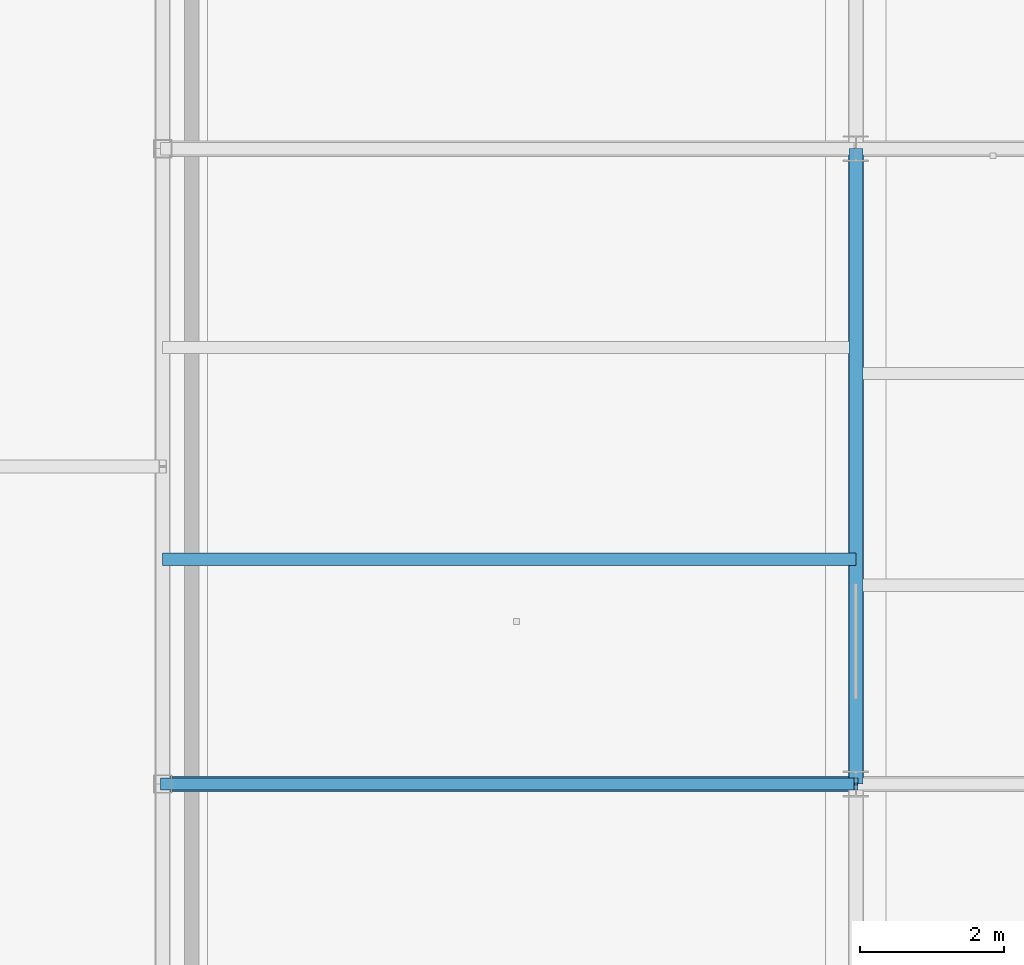
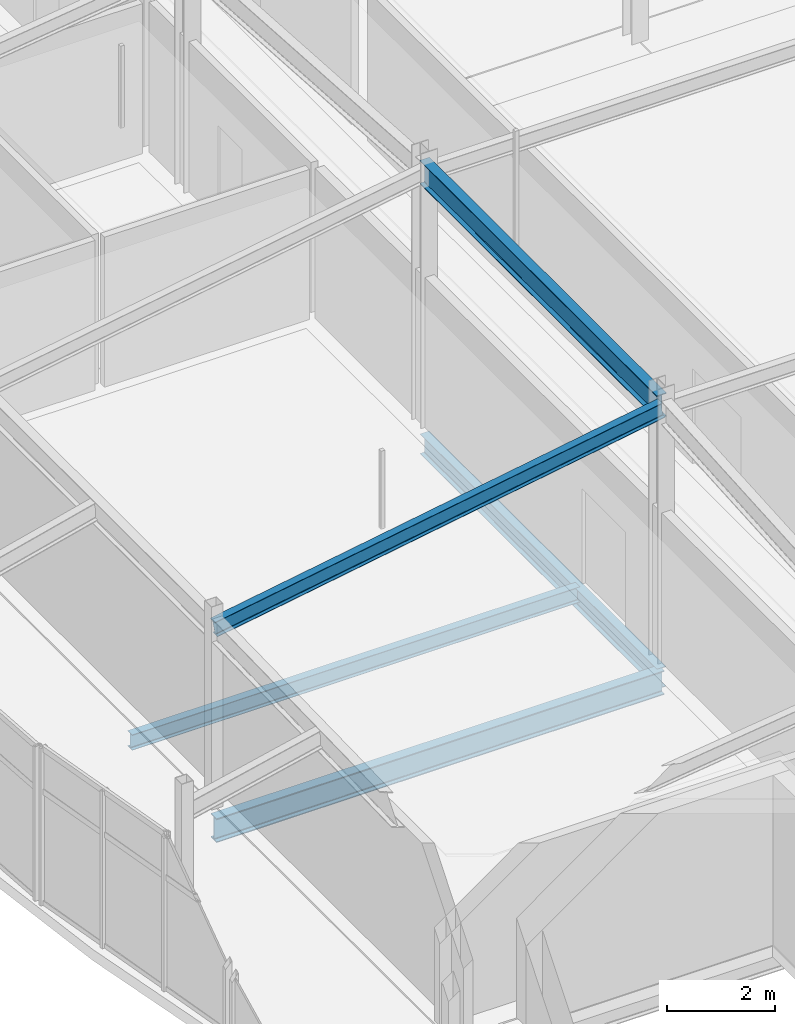
# One storey, part 20 of 114: 4 beams, 1 member.
"""IFC4 building model written with IfcOpenShell, lengths in metres."""

from ifc_helpers import new_model, si_unit, direction, frame, origin, origin_2d, place, context, subcontext, project, spatial, i_section, extrude, material, material_profile, profile_set, type_object, element, save


model = new_model("IFC4")

# Units and contexts
model_context = context("Model", 3, precision=1e-05, world=origin(), true_north=direction((0.0, 1.0)))
body_context = subcontext(model_context, "Body", "Model", "MODEL_VIEW")
ifc_project = project(units=[si_unit("LENGTHUNIT", "METRE"), si_unit("AREAUNIT", "SQUARE_METRE"), si_unit("VOLUMEUNIT", "CUBIC_METRE"), si_unit("PLANEANGLEUNIT", "RADIAN"), si_unit("MASSUNIT", "GRAM", prefix="KILO")], contexts=[model_context])

# Site, building, storey
site_placement = place(None, origin())
site = spatial("IfcSite", under=ifc_project, at=site_placement, CompositionType="ELEMENT")
building_placement = place(site_placement, origin())
building = spatial("IfcBuilding", under=site, at=building_placement, Name="Chalmorin Arch Market", CompositionType="ELEMENT")
storey_placement = place(building_placement, frame((0.0, 0.0, 9.60009765625)))
storey = spatial("IfcBuildingStorey", under=building, at=storey_placement, Name="L02", CompositionType="ELEMENT", Elevation=9.60009765625)

# Beams
ifc_material = material(Name="Steel A992 Grade 50", Category="steel")
ifc_material_profile_1 = material_profile(ifc_material, i_section(OverallWidth=0.19091796875, OverallDepth=0.45703125, WebThickness=0.009033203125, FlangeThickness=0.014404296875, FilletRadius=0.02001953125, at=origin_2d()), Name="W18X50")
ifc_profile_set_1 = profile_set([ifc_material_profile_1], Name="Steel A992 Grade 50")
beam_type_1 = type_object("IfcBeamType", Name="FloorSteelBeam-W18X50", PredefinedType="BEAM", material=ifc_profile_set_1)
beam_1_placement = place(storey_placement, frame((9.60009765625, 23.60009765625, -0.480712890625), z_axis=(0.0, 1.0, 0.0), x_axis=(-1.0, 0.0, 0.0)))
element("IfcBeam", 1, at=beam_1_placement, inside=storey, type_object=beam_type_1, Name="BM-W18B-1143", PredefinedType="BEAM", context=body_context, shape_type="SweptSolid", body=[
    extrude(i_section(OverallWidth=0.19091796875, OverallDepth=0.45703125, WebThickness=0.009033203125, FlangeThickness=0.014404296875, FilletRadius=0.02001953125, at=origin_2d()), origin(), (0.0, 0.0, 1.0), 8.7998046875),
])
ifc_material_profile_2 = material_profile(ifc_material, i_section(OverallWidth=0.208984375, OverallDepth=0.532958984375, WebThickness=0.01025390625, FlangeThickness=0.015625, FilletRadius=0.02197265625, at=origin_2d()), Name="W21X62")
ifc_profile_set_2 = profile_set([ifc_material_profile_2], Name="Steel A992 Grade 50")
beam_type_2 = type_object("IfcBeamType", Name="PrimarySteelGirder-W21X62", PredefinedType="BEAM", material=ifc_profile_set_2)
beam_2_placement = place(storey_placement, frame((9.60009765625, 23.60009765625, 5.677001953125), z_axis=(0.0, 0.999999698269, 0.000776828087), x_axis=(-1.0, 0.0, 0.0)))
element("IfcBeam", 2, at=beam_2_placement, inside=storey, type_object=beam_type_2, Name="BG-W21B-1530", PredefinedType="BEAM", context=body_context, shape_type="SweptSolid", body=[
    extrude(i_section(OverallWidth=0.208984375, OverallDepth=0.532958984375, WebThickness=0.01025390625, FlangeThickness=0.015625, FilletRadius=0.02197265625, at=origin_2d()), origin(), (0.0, 0.0, 1.0), 8.7998046875),
])
ifc_material_profile_3 = material_profile(ifc_material, i_section(OverallWidth=0.2119140625, OverallDepth=0.5439453125, WebThickness=0.01318359375, FlangeThickness=0.021240234375, FilletRadius=0.02197265625, at=origin_2d()), Name="W21X83")
ifc_profile_set_3 = profile_set([ifc_material_profile_3], Name="Steel A992 Grade 50")
beam_type_3 = type_object("IfcBeamType", Name="PrimarySteelGirder-W21X83", PredefinedType="BEAM", material=ifc_profile_set_3)
beam_3_placement = place(storey_placement, frame((0.0, 23.60009765625, -0.524169921875), z_axis=(1.0, 0.0, 0.0), x_axis=(0.0, 1.0, 0.0)))
element("IfcBeam", 3, at=beam_3_placement, inside=storey, type_object=beam_type_3, Name="BG-W21A-1138", PredefinedType="BEAM", context=body_context, shape_type="SweptSolid", body=[
    extrude(i_section(OverallWidth=0.2119140625, OverallDepth=0.5439453125, WebThickness=0.01318359375, FlangeThickness=0.021240234375, FilletRadius=0.02197265625, at=origin_2d()), origin(), (0.0, 0.0, 1.0), 9.60009765625),
])

# Member
ifc_material_profile_4 = material_profile(ifc_material, i_section(OverallWidth=0.1708984375, OverallDepth=0.35107421875, WebThickness=0.0068359375, FlangeThickness=0.009765625, FilletRadius=0.014892578125, at=origin_2d()), Name="W14X30")
ifc_profile_set_4 = profile_set([ifc_material_profile_4], Name="Steel A992 Grade 50")
member_type = type_object("IfcMemberType", Name="RoofSteelPurlin-W14X30", PredefinedType="PURLIN", material=ifc_profile_set_4)
member_placement = place(storey_placement, frame((0.0, 23.60009765625, 4.02099609375), z_axis=(0.986126941735, 0.0, 0.165992935948), x_axis=(0.0, 1.0, 0.0)))
element("IfcMember", 4, at=member_placement, inside=storey, type_object=member_type, Name="PR-W14-0020", PredefinedType="PURLIN", context=body_context, shape_type="SweptSolid", body=[
    extrude(i_section(OverallWidth=0.1708984375, OverallDepth=0.35107421875, WebThickness=0.0068359375, FlangeThickness=0.009765625, FilletRadius=0.014892578125, at=origin_2d()), origin(), (0.0, 0.0, 1.0), 9.735107421875),
])

# Beam
ifc_material_profile_5 = material_profile(ifc_material, i_section(OverallWidth=0.1708984375, OverallDepth=0.35107421875, WebThickness=0.0068359375, FlangeThickness=0.009765625, FilletRadius=0.014892578125, at=origin_2d()), Name="W14X30")
ifc_profile_set_5 = profile_set([ifc_material_profile_5], Name="Steel A992 Grade 50")
beam_type_4 = type_object("IfcBeamType", Name="SecondaryFloorJoist-W14X30", PredefinedType="JOIST", material=ifc_profile_set_5)
beam_4_placement = place(storey_placement, frame((0.0, 26.71337890625, -0.427490234375), z_axis=(1.0, 0.0, 0.0), x_axis=(0.0, 1.0, 0.0)))
element("IfcBeam", 5, at=beam_4_placement, inside=storey, type_object=beam_type_4, Name="BJ-W14-1185", PredefinedType="JOIST", context=body_context, shape_type="SweptSolid", body=[
    extrude(i_section(OverallWidth=0.1708984375, OverallDepth=0.35107421875, WebThickness=0.0068359375, FlangeThickness=0.009765625, FilletRadius=0.014892578125, at=origin_2d()), origin(), (0.0, 0.0, 1.0), 9.60009765625),
])

save(model, "model.ifc")
